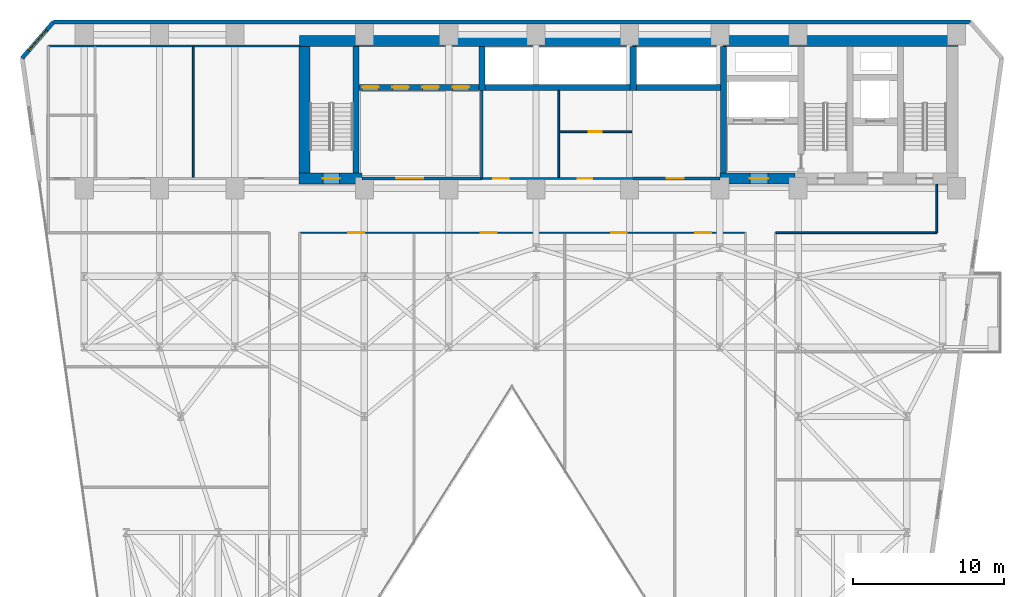
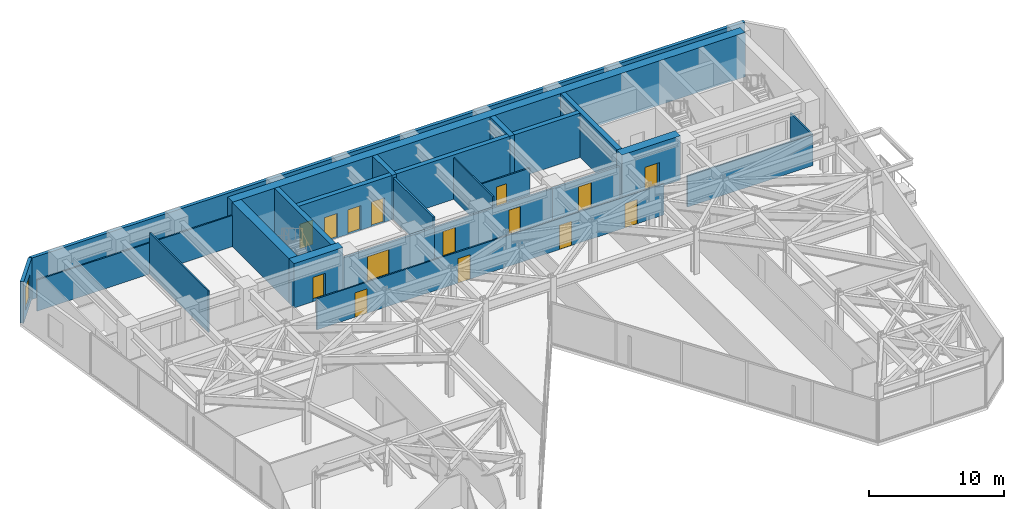
# One storey, part 20 of 24: 24 walls, 15 doors, 1 window, 16 openings.
"""IFC4 building model written with IfcOpenShell, lengths in metres."""

from ifc_helpers import new_model, si_unit, direction, frame, frame_2d, origin, place, context, subcontext, project, spatial, rectangle, extrude, material, layer, layer_set, type_object, element, fill, save


model = new_model("IFC4")

# Units and contexts
model_context = context("Model", 3, precision=1e-05, world=origin(), true_north=direction((0.0, 1.0)))
body_context = subcontext(model_context, "Body", "Model", "MODEL_VIEW")
ifc_project = project(units=[si_unit("LENGTHUNIT", "METRE"), si_unit("AREAUNIT", "SQUARE_METRE"), si_unit("VOLUMEUNIT", "CUBIC_METRE"), si_unit("PLANEANGLEUNIT", "RADIAN"), si_unit("MASSUNIT", "GRAM", prefix="KILO")], contexts=[model_context])

# Site, building, storey
site_placement = place(None, origin())
site = spatial("IfcSite", under=ifc_project, at=site_placement, CompositionType="ELEMENT")
building_placement = place(site_placement, origin())
building = spatial("IfcBuilding", under=site, at=building_placement, Name="Kravanh Interchange Tower", CompositionType="ELEMENT")
storey_placement = place(building_placement, frame((0.0, 0.0, 53.5)))
storey = spatial("IfcBuildingStorey", under=building, at=storey_placement, Name="L12", CompositionType="ELEMENT", Elevation=53.5)

# Wall
ifc_material_1 = material(Name="Double Acoustic Gypsum Board and Mineral Wool")
ifc_layer_1 = layer(ifc_material_1, 0.1201171875)
ifc_layer_set_1 = layer_set([ifc_layer_1], Name="Acoustic Office Drywall Partition 120mm")
wall_type_1 = type_object("IfcWallType", Name="Acoustic Office Drywall Partition 120mm", PredefinedType="PARTITIONING", material=ifc_layer_set_1)
wall_1_placement = place(storey_placement, frame((40.10009765625, 38.068115234375, 0.0), z_axis=(0.0, 0.0, 1.0), x_axis=(0.0, 1.0, 0.0)))
element("IfcWall", 1, at=wall_1_placement, inside=storey, type_object=wall_type_1, Name="L12 Interior Partition 5", PredefinedType="PARTITIONING", context=body_context, shape_type="SweptSolid", body=[
    extrude(rectangle(XDim=5.77392578125, YDim=0.1201171875, at=frame_2d((2.886962890625, 0.0))), origin(), (0.0, 0.0, 1.0), 3.739990234375),
])

# Wall, opening, door
wall_2_placement = place(storey_placement, frame((40.16796875, 41.10009765625, 0.0), z_axis=(0.0, 0.0, 1.0), x_axis=(1.0, 0.0, 0.0)))
wall_2 = element("IfcWall", 2, at=wall_2_placement, inside=storey, type_object=wall_type_1, Name="L12 Interior Partition 6", PredefinedType="PARTITIONING", context=body_context, shape_type="SweptSolid", body=[
    extrude(rectangle(XDim=4.781982421875, YDim=0.1201171875, at=frame_2d((2.39111328125, 0.0))), origin(), (0.0, 0.0, 1.0), 2.81298828125),
])
opening_1_placement = place(wall_2_placement, frame((1.931884765625, 0.0, 0.0)))
opening_1 = element("IfcOpeningElement", 3, at=opening_1_placement, cuts=wall_2, Name="Opening D-85", PredefinedType="OPENING", context=body_context, shape_type="SweptSolid", body=[
    extrude(rectangle(XDim=0.85009765625, YDim=2.10009765625, at=frame_2d((0.425048828125, 1.050048828125))), frame((0.0, 0.070068359375, 0.0), z_axis=(0.0, -1.0, 0.0), x_axis=(1.0, 0.0, 0.0)), (0.0, 0.0, 1.0), 0.14013671875),
])
ifc_material_2 = material(Name="Engineered Teak Veneer Timber", Category="wood")
door_type_1 = type_object("IfcDoorType", Name="En-Suite Timber Door 850x2100", OperationType="NOTDEFINED", PredefinedType="DOOR", material=ifc_material_2)
door_1_placement = place(opening_1_placement, origin())
door_1 = element("IfcDoor", 4, at=door_1_placement, inside=storey, type_object=door_type_1, Name="L12 Inner Store Door", OperationType="SINGLE_SWING_LEFT", OverallHeight=2.10009765625, OverallWidth=0.85009765625, PredefinedType="DOOR", context=body_context, shape_type="SweptSolid", body=[
    extrude(rectangle(XDim=0.85009765625, YDim=2.10009765625, at=frame_2d((0.425048828125, 1.050048828125))), frame((0.0, 0.02490234375, 0.0), z_axis=(0.0, -1.0, 0.0), x_axis=(1.0, 0.0, 0.0)), (0.0, 0.0, 1.0), 0.050048828125),
])
fill(opening_1, door_1)

# Walls
wall_3_placement = place(storey_placement, frame((6.219970703125, 46.800048828125, 0.0), z_axis=(0.0, 0.0, 1.0), x_axis=(1.0, 0.0, 0.0)))
element("IfcWall", 5, at=wall_3_placement, inside=storey, type_object=wall_type_1, Name="L12 Restroom North Enclosure 9", PredefinedType="PARTITIONING", context=body_context, shape_type="SweptSolid", body=[
    extrude(rectangle(XDim=16.679931640625, YDim=0.1201171875, at=frame_2d((8.33984375, 0.0))), origin(), (0.0, 0.0, 1.0), 2.81298828125),
])
wall_4_placement = place(storey_placement, frame((15.840087890625, 38.068115234375, 0.0), z_axis=(0.0, 0.0, 1.0), x_axis=(0.0, 1.0, 0.0)))
element("IfcWall", 6, at=wall_4_placement, inside=storey, type_object=wall_type_1, Name="L12 Interior Partition 11", PredefinedType="PARTITIONING", context=body_context, shape_type="SweptSolid", body=[
    extrude(rectangle(XDim=8.663818359375, YDim=0.1201171875, at=frame_2d((4.33203125, 0.0))), origin(), (0.0, 0.0, 1.0), 3.739990234375),
])

# Wall, openings, doors
wall_5_placement = place(storey_placement, frame((22.89990234375, 34.39990234375, 0.0), z_axis=(0.0, 0.0, 1.0), x_axis=(1.0, 0.0, 0.0)))
wall_5 = element("IfcWall", 7, at=wall_5_placement, inside=storey, type_object=wall_type_1, Name="L12 Interior Partition 14", PredefinedType="PARTITIONING", context=body_context, shape_type="SweptSolid", body=[
    extrude(rectangle(XDim=29.60009765625, YDim=0.1201171875, at=frame_2d((14.800048828125, 0.0))), origin(), (0.0, 0.0, 1.0), 2.81298828125),
])
opening_2_placement = place(wall_5_placement, frame((3.234619140625, 0.0, 0.0)))
opening_2 = element("IfcOpeningElement", 8, at=opening_2_placement, cuts=wall_5, Name="Opening D-105", PredefinedType="OPENING", context=body_context, shape_type="SweptSolid", body=[
    extrude(rectangle(XDim=1.050048828125, YDim=2.199951171875, at=frame_2d((0.52490234375, 1.10009765625))), frame((0.0, 0.070068359375, 0.0), z_axis=(0.0, -1.0, 0.0), x_axis=(1.0, 0.0, 0.0)), (0.0, 0.0, 1.0), 0.14013671875),
])
opening_3_placement = place(wall_5_placement, frame((12.034912109375, 0.0, 0.0)))
opening_3 = element("IfcOpeningElement", 9, at=opening_3_placement, cuts=wall_5, Name="Opening D-105", PredefinedType="OPENING", context=body_context, shape_type="SweptSolid", body=[
    extrude(rectangle(XDim=1.050048828125, YDim=2.199951171875, at=frame_2d((0.52490234375, 1.10009765625))), frame((0.0, 0.070068359375, 0.0), z_axis=(0.0, -1.0, 0.0), x_axis=(1.0, 0.0, 0.0)), (0.0, 0.0, 1.0), 0.14013671875),
])
opening_4_placement = place(wall_5_placement, frame((20.6845703125, 0.0, 0.0)))
opening_4 = element("IfcOpeningElement", 10, at=opening_4_placement, cuts=wall_5, Name="Opening D-105", PredefinedType="OPENING", context=body_context, shape_type="SweptSolid", body=[
    extrude(rectangle(XDim=1.050048828125, YDim=2.199951171875, at=frame_2d((0.52490234375, 1.10009765625))), frame((0.0, 0.070068359375, 0.0), z_axis=(0.0, -1.0, 0.0), x_axis=(1.0, 0.0, 0.0)), (0.0, 0.0, 1.0), 0.14013671875),
])
opening_5_placement = place(wall_5_placement, frame((26.28076171875, 0.0, 0.0)))
opening_5 = element("IfcOpeningElement", 11, at=opening_5_placement, cuts=wall_5, Name="Opening D-105", PredefinedType="OPENING", context=body_context, shape_type="SweptSolid", body=[
    extrude(rectangle(XDim=1.050048828125, YDim=2.199951171875, at=frame_2d((0.52490234375, 1.10009765625))), frame((0.0, 0.070068359375, 0.0), z_axis=(0.0, -1.0, 0.0), x_axis=(1.0, 0.0, 0.0)), (0.0, 0.0, 1.0), 0.14013671875),
])
ifc_material_3 = material(Name="Acoustic Glazed Oak and Aluminium", Category="aluminium")
door_type_2 = type_object("IfcDoorType", Name="Office Workplace Door 1050x2200", OperationType="NOTDEFINED", PredefinedType="DOOR", material=ifc_material_3)
door_2_placement = place(opening_2_placement, origin())
door_2 = element("IfcDoor", 12, at=door_2_placement, inside=storey, type_object=door_type_2, Name="L12 Central Advisory Office Door", OperationType="SINGLE_SWING_LEFT", OverallHeight=2.199951171875, OverallWidth=1.050048828125, PredefinedType="DOOR", context=body_context, shape_type="SweptSolid", body=[
    extrude(rectangle(XDim=1.050048828125, YDim=2.199951171875, at=frame_2d((0.52490234375, 1.10009765625))), frame((0.0, 0.02490234375, 0.0), z_axis=(0.0, -1.0, 0.0), x_axis=(1.0, 0.0, 0.0)), (0.0, 0.0, 1.0), 0.050048828125),
])
fill(opening_2, door_2)
door_3_placement = place(opening_3_placement, origin())
door_3 = element("IfcDoor", 13, at=door_3_placement, inside=storey, type_object=door_type_2, Name="L12 Executive Boardroom Door", OperationType="SINGLE_SWING_RIGHT", OverallHeight=2.199951171875, OverallWidth=1.050048828125, PredefinedType="DOOR", context=body_context, shape_type="SweptSolid", body=[
    extrude(rectangle(XDim=1.050048828125, YDim=2.199951171875, at=frame_2d((0.52490234375, 1.10009765625))), frame((0.0, 0.02490234375, 0.0), z_axis=(0.0, -1.0, 0.0), x_axis=(1.0, 0.0, 0.0)), (0.0, 0.0, 1.0), 0.050048828125),
])
fill(opening_3, door_3)
door_4_placement = place(opening_4_placement, origin())
door_4 = element("IfcDoor", 14, at=door_4_placement, inside=storey, type_object=door_type_2, Name="L12 Breakout Lounge Door", OperationType="SINGLE_SWING_LEFT", OverallHeight=2.199951171875, OverallWidth=1.050048828125, PredefinedType="DOOR", context=body_context, shape_type="SweptSolid", body=[
    extrude(rectangle(XDim=1.050048828125, YDim=2.199951171875, at=frame_2d((0.52490234375, 1.10009765625))), frame((0.0, 0.02490234375, 0.0), z_axis=(0.0, -1.0, 0.0), x_axis=(1.0, 0.0, 0.0)), (0.0, 0.0, 1.0), 0.050048828125),
])
fill(opening_4, door_4)
door_5_placement = place(opening_5_placement, origin())
door_5 = element("IfcDoor", 15, at=door_5_placement, inside=storey, type_object=door_type_2, Name="L12 Floor Kitchenette Door", OperationType="SINGLE_SWING_RIGHT", OverallHeight=2.199951171875, OverallWidth=1.050048828125, PredefinedType="DOOR", context=body_context, shape_type="SweptSolid", body=[
    extrude(rectangle(XDim=1.050048828125, YDim=2.199951171875, at=frame_2d((0.52490234375, 1.10009765625))), frame((0.0, 0.02490234375, 0.0), z_axis=(0.0, -1.0, 0.0), x_axis=(1.0, 0.0, 0.0)), (0.0, 0.0, 1.0), 0.050048828125),
])
fill(opening_5, door_5)

# Walls
wall_6_placement = place(storey_placement, frame((54.5, 34.39990234375, 0.0), z_axis=(0.0, 0.0, 1.0), x_axis=(1.0, 0.0, 0.0)))
element("IfcWall", 16, at=wall_6_placement, inside=storey, type_object=wall_type_1, Name="L12 Interior Partition 15", PredefinedType="PARTITIONING", context=body_context, shape_type="SweptSolid", body=[
    extrude(rectangle(XDim=10.699951171875, YDim=0.1201171875, at=frame_2d((5.35009765625, 0.0))), origin(), (0.0, 0.0, 1.0), 2.81298828125),
])
wall_7_placement = place(storey_placement, frame((65.199951171875, 34.39990234375, 0.0), z_axis=(0.0, 0.0, 1.0), x_axis=(0.0, 1.0, 0.0)))
element("IfcWall", 17, at=wall_7_placement, inside=storey, type_object=wall_type_1, Name="L12 Interior Partition 17", PredefinedType="PARTITIONING", context=body_context, shape_type="SweptSolid", body=[
    extrude(rectangle(XDim=3.217041015625, YDim=0.1201171875, at=frame_2d((1.6083984375, 0.0))), origin(), (0.0, 0.0, 1.0), 2.81298828125),
])
ifc_material_4 = material(Name="Concrete C80/95", Category="concrete")
ifc_layer_2 = layer(ifc_material_4, 0.39990234375)
ifc_layer_set_2 = layer_set([ifc_layer_2], Name="Core Shear Wall Concrete C80/95 400mm")
wall_type_2 = type_object("IfcWallType", Name="Core Shear Wall Concrete C80/95 400mm", PredefinedType="SHEAR", material=ifc_layer_set_2)
wall_8_placement = place(storey_placement, frame((51.050048828125, 38.375, 0.0), z_axis=(0.0, 0.0, 1.0), x_axis=(0.0, 1.0, 0.0)))
element("IfcWall", 18, at=wall_8_placement, inside=storey, type_object=wall_type_2, Name="L12 Firefighting Lobby West Wall", PredefinedType="SHEAR", context=body_context, shape_type="SweptSolid", body=[
    extrude(rectangle(XDim=8.375, YDim=0.39990234375, at=frame_2d((4.1875, 0.0))), origin(), (0.0, 0.0, 1.0), 4.0),
])
wall_9_placement = place(storey_placement, frame((45.25, 44.050048828125, 0.0), z_axis=(0.0, 0.0, 1.0), x_axis=(1.0, 0.0, 0.0)))
element("IfcWall", 19, at=wall_9_placement, inside=storey, type_object=wall_type_2, Name="L12 High-Rise Lift Shaft South Wall", PredefinedType="SHEAR", context=body_context, shape_type="SweptSolid", body=[
    extrude(rectangle(XDim=5.60009765625, YDim=0.39990234375, at=frame_2d((2.800048828125, 0.0))), origin(), (0.0, 0.0, 1.0), 4.0),
])
wall_10_placement = place(storey_placement, frame((45.050048828125, 43.85009765625, 0.0), z_axis=(0.0, 0.0, 1.0), x_axis=(0.0, 1.0, 0.0)))
element("IfcWall", 20, at=wall_10_placement, inside=storey, type_object=wall_type_2, Name="L12 High-Rise Lift Shaft West Wall", PredefinedType="SHEAR", context=body_context, shape_type="SweptSolid", body=[
    extrude(rectangle(XDim=2.89990234375, YDim=0.39990234375, at=frame_2d((1.449951171875, 0.0))), origin(), (0.0, 0.0, 1.0), 4.0),
])
wall_11_placement = place(storey_placement, frame((35.199951171875, 44.050048828125, 0.0), z_axis=(0.0, 0.0, 1.0), x_axis=(1.0, 0.0, 0.0)))
element("IfcWall", 21, at=wall_11_placement, inside=storey, type_object=wall_type_2, Name="L12 Mid-Rise Lift Shaft South Wall", PredefinedType="SHEAR", context=body_context, shape_type="SweptSolid", body=[
    extrude(rectangle(XDim=9.650146484375, YDim=0.39990234375, at=frame_2d((4.8251953125, 0.0))), origin(), (0.0, 0.0, 1.0), 4.0),
])
wall_12_placement = place(storey_placement, frame((35.0, 43.85009765625, 0.0), z_axis=(0.0, 0.0, 1.0), x_axis=(0.0, 1.0, 0.0)))
element("IfcWall", 22, at=wall_12_placement, inside=storey, type_object=wall_type_2, Name="L12 Mid-Rise Lift Shaft West Wall", PredefinedType="SHEAR", context=body_context, shape_type="SweptSolid", body=[
    extrude(rectangle(XDim=2.89990234375, YDim=0.39990234375, at=frame_2d((1.449951171875, 0.0))), origin(), (0.0, 0.0, 1.0), 4.0),
])

# Wall, openings, doors
wall_13_placement = place(storey_placement, frame((26.85009765625, 44.050048828125, 0.0), z_axis=(0.0, 0.0, 1.0), x_axis=(1.0, 0.0, 0.0)))
wall_13 = element("IfcWall", 23, at=wall_13_placement, inside=storey, type_object=wall_type_2, Name="L12 Low-Rise Lift Shaft South Wall", PredefinedType="SHEAR", context=body_context, shape_type="SweptSolid", body=[
    extrude(rectangle(XDim=7.949951171875, YDim=0.39990234375, at=frame_2d((3.97509765625, 0.0))), origin(), (0.0, 0.0, 1.0), 4.0),
])
opening_6_placement = place(wall_13_placement, frame((0.199951171875, 0.0, 0.0)))
opening_6 = element("IfcOpeningElement", 24, at=opening_6_placement, cuts=wall_13, Name="Opening LD01", PredefinedType="OPENING", context=body_context, shape_type="SweptSolid", body=[
    extrude(rectangle(XDim=1.10009765625, YDim=2.199951171875, at=frame_2d((0.550048828125, 1.10009765625))), frame((0.0, 0.2099609375, 0.0), z_axis=(0.0, -1.0, 0.0), x_axis=(1.0, 0.0, 0.0)), (0.0, 0.0, 1.0), 0.419921875),
])
opening_7_placement = place(wall_13_placement, frame((2.199951171875, 0.0, 0.0)))
opening_7 = element("IfcOpeningElement", 25, at=opening_7_placement, cuts=wall_13, Name="Opening LD01", PredefinedType="OPENING", context=body_context, shape_type="SweptSolid", body=[
    extrude(rectangle(XDim=1.10009765625, YDim=2.199951171875, at=frame_2d((0.550048828125, 1.10009765625))), frame((0.0, 0.2099609375, 0.0), z_axis=(0.0, -1.0, 0.0), x_axis=(1.0, 0.0, 0.0)), (0.0, 0.0, 1.0), 0.419921875),
])
opening_8_placement = place(wall_13_placement, frame((4.199951171875, 0.0, 0.0)))
opening_8 = element("IfcOpeningElement", 26, at=opening_8_placement, cuts=wall_13, Name="Opening LD01", PredefinedType="OPENING", context=body_context, shape_type="SweptSolid", body=[
    extrude(rectangle(XDim=1.10009765625, YDim=2.199951171875, at=frame_2d((0.550048828125, 1.10009765625))), frame((0.0, 0.2099609375, 0.0), z_axis=(0.0, -1.0, 0.0), x_axis=(1.0, 0.0, 0.0)), (0.0, 0.0, 1.0), 0.419921875),
])
opening_9_placement = place(wall_13_placement, frame((6.199951171875, 0.0, 0.0)))
opening_9 = element("IfcOpeningElement", 27, at=opening_9_placement, cuts=wall_13, Name="Opening LD01", PredefinedType="OPENING", context=body_context, shape_type="SweptSolid", body=[
    extrude(rectangle(XDim=1.10009765625, YDim=2.199951171875, at=frame_2d((0.550048828125, 1.10009765625))), frame((0.0, 0.2099609375, 0.0), z_axis=(0.0, -1.0, 0.0), x_axis=(1.0, 0.0, 0.0)), (0.0, 0.0, 1.0), 0.419921875),
])
ifc_material_5 = material(Name="Stainless Steel 304", Category="steel")
door_type_3 = type_object("IfcDoorType", Name="Passenger Lift Sliding Landing Door 1100x2200", OperationType="DOUBLE_DOOR_SLIDING", PredefinedType="DOOR", material=ifc_material_5)
door_6_placement = place(opening_6_placement, origin())
door_6 = element("IfcDoor", 28, at=door_6_placement, inside=storey, type_object=door_type_3, Name="L12 Lift LP-L1 Landing Door", OperationType="DOUBLE_DOOR_SLIDING", OverallHeight=2.199951171875, OverallWidth=1.10009765625, PredefinedType="DOOR", context=body_context, shape_type="SweptSolid", body=[
    extrude(rectangle(XDim=1.10009765625, YDim=2.199951171875, at=frame_2d((0.550048828125, 1.10009765625))), frame((0.0, 0.02490234375, 0.0), z_axis=(0.0, -1.0, 0.0), x_axis=(1.0, 0.0, 0.0)), (0.0, 0.0, 1.0), 0.050048828125),
])
fill(opening_6, door_6)
door_7_placement = place(opening_7_placement, origin())
door_7 = element("IfcDoor", 29, at=door_7_placement, inside=storey, type_object=door_type_3, Name="L12 Lift LP-L2 Landing Door", OperationType="DOUBLE_DOOR_SLIDING", OverallHeight=2.199951171875, OverallWidth=1.10009765625, PredefinedType="DOOR", context=body_context, shape_type="SweptSolid", body=[
    extrude(rectangle(XDim=1.10009765625, YDim=2.199951171875, at=frame_2d((0.550048828125, 1.10009765625))), frame((0.0, 0.02490234375, 0.0), z_axis=(0.0, -1.0, 0.0), x_axis=(1.0, 0.0, 0.0)), (0.0, 0.0, 1.0), 0.050048828125),
])
fill(opening_7, door_7)
door_8_placement = place(opening_8_placement, origin())
door_8 = element("IfcDoor", 30, at=door_8_placement, inside=storey, type_object=door_type_3, Name="L12 Lift LP-L3 Landing Door", OperationType="DOUBLE_DOOR_SLIDING", OverallHeight=2.199951171875, OverallWidth=1.10009765625, PredefinedType="DOOR", context=body_context, shape_type="SweptSolid", body=[
    extrude(rectangle(XDim=1.10009765625, YDim=2.199951171875, at=frame_2d((0.550048828125, 1.10009765625))), frame((0.0, 0.02490234375, 0.0), z_axis=(0.0, -1.0, 0.0), x_axis=(1.0, 0.0, 0.0)), (0.0, 0.0, 1.0), 0.050048828125),
])
fill(opening_8, door_8)
door_9_placement = place(opening_9_placement, origin())
door_9 = element("IfcDoor", 31, at=door_9_placement, inside=storey, type_object=door_type_3, Name="L12 Lift LP-L4 Landing Door", OperationType="DOUBLE_DOOR_SLIDING", OverallHeight=2.199951171875, OverallWidth=1.10009765625, PredefinedType="DOOR", context=body_context, shape_type="SweptSolid", body=[
    extrude(rectangle(XDim=1.10009765625, YDim=2.199951171875, at=frame_2d((0.550048828125, 1.10009765625))), frame((0.0, 0.02490234375, 0.0), z_axis=(0.0, -1.0, 0.0), x_axis=(1.0, 0.0, 0.0)), (0.0, 0.0, 1.0), 0.050048828125),
])
fill(opening_9, door_9)

# Walls
wall_14_placement = place(storey_placement, frame((26.64990234375, 38.375, 0.0), z_axis=(0.0, 0.0, 1.0), x_axis=(0.0, 1.0, 0.0)))
element("IfcWall", 32, at=wall_14_placement, inside=storey, type_object=wall_type_2, Name="L12 Stair ST3 East Shear Wall", PredefinedType="SHEAR", context=body_context, shape_type="SweptSolid", body=[
    extrude(rectangle(XDim=8.375, YDim=0.39990234375, at=frame_2d((4.1875, 0.0))), origin(), (0.0, 0.0, 1.0), 4.0),
])
ifc_material_6 = material(Name="Concrete C80/95", Category="concrete")
ifc_layer_3 = layer(ifc_material_6, 0.75)
ifc_layer_set_3 = layer_set([ifc_layer_3], Name="Core Shear Wall Concrete C80/95 750mm")
wall_type_3 = type_object("IfcWallType", Name="Core Shear Wall Concrete C80/95 750mm", PredefinedType="SHEAR", material=ifc_layer_set_3)
wall_15_placement = place(storey_placement, frame((22.89990234375, 47.125, 0.0), z_axis=(0.0, 0.0, 1.0), x_axis=(1.0, 0.0, 0.0)))
element("IfcWall", 33, at=wall_15_placement, inside=storey, type_object=wall_type_3, Name="L12 North Core Shear Wall", PredefinedType="SHEAR", context=body_context, shape_type="SweptSolid", body=[
    extrude(rectangle(XDim=43.7001953125, YDim=0.75, at=frame_2d((21.85009765625, 0.0))), origin(), (0.0, 0.0, 1.0), 4.0),
])

# Wall, opening, door
wall_16_placement = place(storey_placement, frame((50.800048828125, 38.0, 0.0), z_axis=(0.0, 0.0, 1.0), x_axis=(1.0, 0.0, 0.0)))
wall_16 = element("IfcWall", 34, at=wall_16_placement, inside=storey, type_object=wall_type_3, Name="L12 Firefighting Lobby South Shear Wall", PredefinedType="SHEAR", context=body_context, shape_type="SweptSolid", body=[
    extrude(rectangle(XDim=5.0, YDim=0.75, at=frame_2d((2.5, 0.0))), origin(), (0.0, 0.0, 1.0), 4.0),
])
opening_10_placement = place(wall_16_placement, frame((2.0, 0.0, 0.0)))
opening_10 = element("IfcOpeningElement", 35, at=opening_10_placement, cuts=wall_16, Name="Opening D-FSAE-120", PredefinedType="OPENING", context=body_context, shape_type="SweptSolid", body=[
    extrude(rectangle(XDim=1.199951171875, YDim=2.199951171875, at=frame_2d((0.60009765625, 1.10009765625))), frame((0.0, 0.385009765625, 0.0), z_axis=(0.0, -1.0, 0.0), x_axis=(1.0, 0.0, 0.0)), (0.0, 0.0, 1.0), 0.77001953125),
])
ifc_material_7 = material(Name="Structural Steel S355", Category="steel")
door_type_4 = type_object("IfcDoorType", Name="Fire-Rated Refuge and FSAE Door 1200x2200", OperationType="NOTDEFINED", PredefinedType="DOOR", material=ifc_material_7)
door_10_placement = place(opening_10_placement, origin())
door_10 = element("IfcDoor", 36, at=door_10_placement, inside=storey, type_object=door_type_4, Name="L12 Firefighting Lobby Corridor Door", OperationType="SINGLE_SWING_RIGHT", OverallHeight=2.199951171875, OverallWidth=1.199951171875, PredefinedType="DOOR", context=body_context, shape_type="SweptSolid", body=[
    extrude(rectangle(XDim=1.199951171875, YDim=2.199951171875, at=frame_2d((0.60009765625, 1.10009765625))), frame((0.0, 0.02490234375, 0.0), z_axis=(0.0, -1.0, 0.0), x_axis=(1.0, 0.0, 0.0)), (0.0, 0.0, 1.0), 0.050048828125),
])
fill(opening_10, door_10)

wall_17_placement = place(storey_placement, frame((22.85009765625, 38.0, 0.0), z_axis=(0.0, 0.0, 1.0), x_axis=(1.0, 0.0, 0.0)))
wall_17 = element("IfcWall", 37, at=wall_17_placement, inside=storey, type_object=wall_type_3, Name="L12 Stair ST3 South Shear Wall", PredefinedType="SHEAR", context=body_context, shape_type="SweptSolid", body=[
    extrude(rectangle(XDim=4.199951171875, YDim=0.75, at=frame_2d((2.10009765625, 0.0))), origin(), (0.0, 0.0, 1.0), 4.0),
])
opening_11_placement = place(wall_17_placement, frame((1.60009765625, 0.0, 0.0)))
opening_11 = element("IfcOpeningElement", 38, at=opening_11_placement, cuts=wall_17, Name="Opening D-STAIR-110", PredefinedType="OPENING", context=body_context, shape_type="SweptSolid", body=[
    extrude(rectangle(XDim=1.10009765625, YDim=2.199951171875, at=frame_2d((0.550048828125, 1.10009765625))), frame((0.0, 0.385009765625, 0.0), z_axis=(0.0, -1.0, 0.0), x_axis=(1.0, 0.0, 0.0)), (0.0, 0.0, 1.0), 0.77001953125),
])
ifc_material_8 = material(Name="Structural Steel S355", Category="steel")
door_type_5 = type_object("IfcDoorType", Name="Fire-Rated Exit Stair Door 1100x2200", OperationType="NOTDEFINED", PredefinedType="DOOR", material=ifc_material_8)
door_11_placement = place(opening_11_placement, origin())
door_11 = element("IfcDoor", 39, at=door_11_placement, inside=storey, type_object=door_type_5, Name="L12 Exit Stair ST3 Door", OperationType="SINGLE_SWING_RIGHT", OverallHeight=2.199951171875, OverallWidth=1.10009765625, PredefinedType="DOOR", context=body_context, shape_type="SweptSolid", body=[
    extrude(rectangle(XDim=1.10009765625, YDim=2.199951171875, at=frame_2d((0.550048828125, 1.10009765625))), frame((0.0, 0.02490234375, 0.0), z_axis=(0.0, -1.0, 0.0), x_axis=(1.0, 0.0, 0.0)), (0.0, 0.0, 1.0), 0.050048828125),
])
fill(opening_11, door_11)

# Wall
wall_18_placement = place(storey_placement, frame((23.22509765625, 38.375, 0.0), z_axis=(0.0, 0.0, 1.0), x_axis=(0.0, 1.0, 0.0)))
element("IfcWall", 40, at=wall_18_placement, inside=storey, type_object=wall_type_3, Name="L12 Stair ST3 West Shear Wall", PredefinedType="SHEAR", context=body_context, shape_type="SweptSolid", body=[
    extrude(rectangle(XDim=8.375, YDim=0.75, at=frame_2d((4.1875, 0.0))), origin(), (0.0, 0.0, 1.0), 4.0),
])

# Wall, opening, window
ifc_material_9 = material(Name="Insulated Precast Concrete C40/50 with Bronze Cladding", Category="concrete")
ifc_layer_4 = layer(ifc_material_9, 0.280029296875)
ifc_layer_set_4 = layer_set([ifc_layer_4], Name="Exterior Insulated Concrete C40/50 Bronze Spandrel Wall 280mm")
wall_type_4 = type_object("IfcWallType", Name="Exterior Insulated Concrete C40/50 Bronze Spandrel Wall 280mm", PredefinedType="STANDARD", material=ifc_layer_set_4)
wall_19_placement = place(storey_placement, frame((4.474365234375, 45.98681640625, 0.0), z_axis=(0.0, 0.0, 1.0), x_axis=(0.656070053895, 0.754699996278, 0.0)))
wall_19 = element("IfcWall", 41, at=wall_19_placement, inside=storey, type_object=wall_type_4, Name="L12 Exterior Wall 2", PredefinedType="STANDARD", context=body_context, shape_type="SweptSolid", body=[
    extrude(rectangle(XDim=3.1708984375, YDim=0.280029296875, at=frame_2d((1.58544921875, 0.0))), origin(), (0.0, 0.0, 1.0), 3.739990234375),
])
opening_12_placement = place(wall_19_placement, frame((0.66650390625, 0.0, 0.64990234375)))
opening_12 = element("IfcOpeningElement", 42, at=opening_12_placement, cuts=wall_19, Name="Opening WN-180X210", PredefinedType="OPENING", context=body_context, shape_type="SweptSolid", body=[
    extrude(rectangle(XDim=1.800048828125, YDim=2.10009765625, at=frame_2d((0.89990234375, 1.050048828125))), frame((0.0, 0.14990234375, 0.0), z_axis=(0.0, -1.0, 0.0), x_axis=(1.0, 0.0, 0.0)), (0.0, 0.0, 1.0), 0.300048828125),
])
ifc_material_10 = material(Name="Thermally Broken Bronze Aluminium and Low-E Glass", Category="aluminium")
window_type = type_object("IfcWindowType", Name="Tower Pier Window 1800x2100", PartitioningType="SINGLE_PANEL", PredefinedType="WINDOW", material=ifc_material_10)
window_placement = place(opening_12_placement, origin())
window = element("IfcWindow", 43, at=window_placement, inside=storey, type_object=window_type, Name="L12 Corner Window 2", OverallHeight=2.10009765625, OverallWidth=1.800048828125, PartitioningType="SINGLE_PANEL", PredefinedType="WINDOW", context=body_context, shape_type="SweptSolid", body=[
    extrude(rectangle(XDim=1.800048828125, YDim=2.10009765625, at=frame_2d((0.89990234375, 1.050048828125))), frame((0.0, 0.030029296875, 0.0), z_axis=(0.0, -1.0, 0.0), x_axis=(1.0, 0.0, 0.0)), (0.0, 0.0, 1.0), 0.06005859375),
])
fill(opening_12, window)

# Wall
wall_20_placement = place(storey_placement, frame((6.5546875, 48.3798828125, 0.0), z_axis=(0.0, 0.0, 1.0), x_axis=(1.0, 0.0, 0.0)))
element("IfcWall", 44, at=wall_20_placement, inside=storey, type_object=wall_type_4, Name="L12 Exterior Wall 3", PredefinedType="STANDARD", context=body_context, shape_type="SweptSolid", body=[
    extrude(rectangle(XDim=60.890625, YDim=0.280029296875, at=frame_2d((30.4453125, 0.0))), origin(), (0.0, 0.0, 1.0), 3.739990234375),
])

# Wall, opening, door
ifc_material_11 = material(Name="Autoclaved Aerated Concrete C30/37 Blockwork", Category="masonry")
ifc_layer_5 = layer(ifc_material_11, 0.179931640625)
ifc_layer_set_5 = layer_set([ifc_layer_5], Name="Fire-Rated Lobby and Corridor Wall Concrete C30/37 180mm")
wall_type_5 = type_object("IfcWallType", Name="Fire-Rated Lobby and Corridor Wall Concrete C30/37 180mm", PredefinedType="STANDARD", material=ifc_layer_set_5)
wall_21_placement = place(storey_placement, frame((45.050048828125, 38.0, 0.0), z_axis=(0.0, 0.0, 1.0), x_axis=(1.0, 0.0, 0.0)))
wall_21 = element("IfcWall", 45, at=wall_21_placement, inside=storey, type_object=wall_type_5, Name="L12 Core South Enclosure 1", PredefinedType="STANDARD", context=body_context, shape_type="SweptSolid", body=[
    extrude(rectangle(XDim=5.75, YDim=0.179931640625, at=frame_2d((2.875, 0.0))), origin(), (0.0, 0.0, 1.0), 2.81298828125),
])
opening_13_placement = place(wall_21_placement, frame((2.240478515625, 0.0, 0.0)))
opening_13 = element("IfcOpeningElement", 46, at=opening_13_placement, cuts=wall_21, Name="Opening D-SHAFT-110", PredefinedType="OPENING", context=body_context, shape_type="SweptSolid", body=[
    extrude(rectangle(XDim=1.10009765625, YDim=2.199951171875, at=frame_2d((0.550048828125, 1.10009765625))), frame((0.0, 0.10009765625, 0.0), z_axis=(0.0, -1.0, 0.0), x_axis=(1.0, 0.0, 0.0)), (0.0, 0.0, 1.0), 0.199951171875),
])
ifc_material_12 = material(Name="Fire-Rated Composite Timber Leaf", Category="wood")
door_type_6 = type_object("IfcDoorType", Name="Fire-Rated Core Support Door 1100x2200", OperationType="NOTDEFINED", PredefinedType="DOOR", material=ifc_material_12)
door_12_placement = place(opening_13_placement, origin())
door_12 = element("IfcDoor", 47, at=door_12_placement, inside=storey, type_object=door_type_6, Name="L12 Core AHU Fan Room Door", OperationType="SINGLE_SWING_RIGHT", OverallHeight=2.199951171875, OverallWidth=1.10009765625, PredefinedType="DOOR", context=body_context, shape_type="SweptSolid", body=[
    extrude(rectangle(XDim=1.10009765625, YDim=2.199951171875, at=frame_2d((0.550048828125, 1.10009765625))), frame((0.0, 0.02490234375, 0.0), z_axis=(0.0, -1.0, 0.0), x_axis=(1.0, 0.0, 0.0)), (0.0, 0.0, 1.0), 0.050048828125),
])
fill(opening_13, door_12)

# Wall
wall_22_placement = place(storey_placement, frame((35.0, 38.0, 0.0), z_axis=(0.0, 0.0, 1.0), x_axis=(0.0, 1.0, 0.0)))
element("IfcWall", 48, at=wall_22_placement, inside=storey, type_object=wall_type_5, Name="L12 Low-Rise Lobby East Wall 2", PredefinedType="STANDARD", context=body_context, shape_type="SweptSolid", body=[
    extrude(rectangle(XDim=5.85009765625, YDim=0.179931640625, at=frame_2d((2.925048828125, 0.0))), origin(), (0.0, 0.0, 1.0), 3.739990234375),
])

# Wall, opening, door
wall_23_placement = place(storey_placement, frame((27.050048828125, 38.0, 0.0), z_axis=(0.0, 0.0, 1.0), x_axis=(1.0, 0.0, 0.0)))
wall_23 = element("IfcWall", 49, at=wall_23_placement, inside=storey, type_object=wall_type_5, Name="L12 Low-Rise Lobby South Wall 3", PredefinedType="STANDARD", context=body_context, shape_type="SweptSolid", body=[
    extrude(rectangle(XDim=7.949951171875, YDim=0.179931640625, at=frame_2d((3.97509765625, 0.0))), origin(), (0.0, 0.0, 1.0), 2.81298828125),
])
opening_14_placement = place(wall_23_placement, frame((2.25, 0.0, 0.0)))
opening_14 = element("IfcOpeningElement", 50, at=opening_14_placement, cuts=wall_23, Name="Opening DBL-180", PredefinedType="OPENING", context=body_context, shape_type="SweptSolid", body=[
    extrude(rectangle(XDim=1.800048828125, YDim=2.199951171875, at=frame_2d((0.89990234375, 1.10009765625))), frame((0.0, 0.10009765625, 0.0), z_axis=(0.0, -1.0, 0.0), x_axis=(1.0, 0.0, 0.0)), (0.0, 0.0, 1.0), 0.199951171875),
])
ifc_material_13 = material(Name="Structural Steel S355", Category="steel")
door_type_7 = type_object("IfcDoorType", Name="Lift Lobby Double Fire Door 1800x2200", OperationType="DOUBLE_DOOR_SINGLE_SWING", PredefinedType="DOOR", material=ifc_material_13)
door_13_placement = place(opening_14_placement, origin())
door_13 = element("IfcDoor", 51, at=door_13_placement, inside=storey, type_object=door_type_7, Name="L12 Low-Rise Lift Lobby Door", OperationType="DOUBLE_DOOR_SINGLE_SWING", OverallHeight=2.199951171875, OverallWidth=1.800048828125, PredefinedType="DOOR", context=body_context, shape_type="SweptSolid", body=[
    extrude(rectangle(XDim=1.800048828125, YDim=2.199951171875, at=frame_2d((0.89990234375, 1.10009765625))), frame((0.0, 0.02490234375, 0.0), z_axis=(0.0, -1.0, 0.0), x_axis=(1.0, 0.0, 0.0)), (0.0, 0.0, 1.0), 0.050048828125),
])
fill(opening_14, door_13)

# Wall, openings, doors
ifc_material_14 = material(Name="Twin Stud Acoustic Gypsum Board Wall")
ifc_layer_6 = layer(ifc_material_14, 0.14990234375)
ifc_layer_set_6 = layer_set([ifc_layer_6], Name="Medium-Duty Acoustic Partition 150mm")
wall_type_6 = type_object("IfcWallType", Name="Medium-Duty Acoustic Partition 150mm", PredefinedType="PARTITIONING", material=ifc_layer_set_6)
wall_24_placement = place(storey_placement, frame((35.0, 38.0, 0.0), z_axis=(0.0, 0.0, 1.0), x_axis=(1.0, 0.0, 0.0)))
wall_24 = element("IfcWall", 52, at=wall_24_placement, inside=storey, type_object=wall_type_6, Name="L12 Core Support South Wall 4", PredefinedType="PARTITIONING", context=body_context, shape_type="SweptSolid", body=[
    extrude(rectangle(XDim=10.050048828125, YDim=0.14990234375, at=frame_2d((5.02490234375, 0.0))), origin(), (0.0, 0.0, 1.0), 2.81298828125),
])
opening_15_placement = place(wall_24_placement, frame((0.75, 0.0, 0.0)))
opening_15 = element("IfcOpeningElement", 53, at=opening_15_placement, cuts=wall_24, Name="Opening D-105", PredefinedType="OPENING", context=body_context, shape_type="SweptSolid", body=[
    extrude(rectangle(XDim=1.050048828125, YDim=2.199951171875, at=frame_2d((0.52490234375, 1.10009765625))), frame((0.0, 0.0849609375, 0.0), z_axis=(0.0, -1.0, 0.0), x_axis=(1.0, 0.0, 0.0)), (0.0, 0.0, 1.0), 0.169921875),
])
opening_16_placement = place(wall_24_placement, frame((6.375, 0.0, 0.0)))
opening_16 = element("IfcOpeningElement", 54, at=opening_16_placement, cuts=wall_24, Name="Opening D-95", PredefinedType="OPENING", context=body_context, shape_type="SweptSolid", body=[
    extrude(rectangle(XDim=0.949951171875, YDim=2.14990234375, at=frame_2d((0.47509765625, 1.074951171875))), frame((0.0, 0.0849609375, 0.0), z_axis=(0.0, -1.0, 0.0), x_axis=(1.0, 0.0, 0.0)), (0.0, 0.0, 1.0), 0.169921875),
])
ifc_material_15 = material(Name="Laminate Solid-Core Timber", Category="wood")
door_type_8 = type_object("IfcDoorType", Name="Accessible Restroom Door 950x2150", OperationType="NOTDEFINED", PredefinedType="DOOR", material=ifc_material_15)
door_14_placement = place(opening_16_placement, origin())
door_14 = element("IfcDoor", 55, at=door_14_placement, inside=storey, type_object=door_type_8, Name="L12 Mail Room Door", OperationType="SINGLE_SWING_RIGHT", OverallHeight=2.14990234375, OverallWidth=0.949951171875, PredefinedType="DOOR", context=body_context, shape_type="SweptSolid", body=[
    extrude(rectangle(XDim=0.949951171875, YDim=2.14990234375, at=frame_2d((0.47509765625, 1.074951171875))), frame((0.0, 0.02490234375, 0.0), z_axis=(0.0, -1.0, 0.0), x_axis=(1.0, 0.0, 0.0)), (0.0, 0.0, 1.0), 0.050048828125),
])
fill(opening_16, door_14)
door_15_placement = place(opening_15_placement, origin())
door_15 = element("IfcDoor", 56, at=door_15_placement, inside=storey, type_object=door_type_2, Name="L12 Server Room Door", OperationType="SINGLE_SWING_LEFT", OverallHeight=2.199951171875, OverallWidth=1.050048828125, PredefinedType="DOOR", context=body_context, shape_type="SweptSolid", body=[
    extrude(rectangle(XDim=1.050048828125, YDim=2.199951171875, at=frame_2d((0.52490234375, 1.10009765625))), frame((0.0, 0.02490234375, 0.0), z_axis=(0.0, -1.0, 0.0), x_axis=(1.0, 0.0, 0.0)), (0.0, 0.0, 1.0), 0.050048828125),
])
fill(opening_15, door_15)

save(model, "model.ifc")
